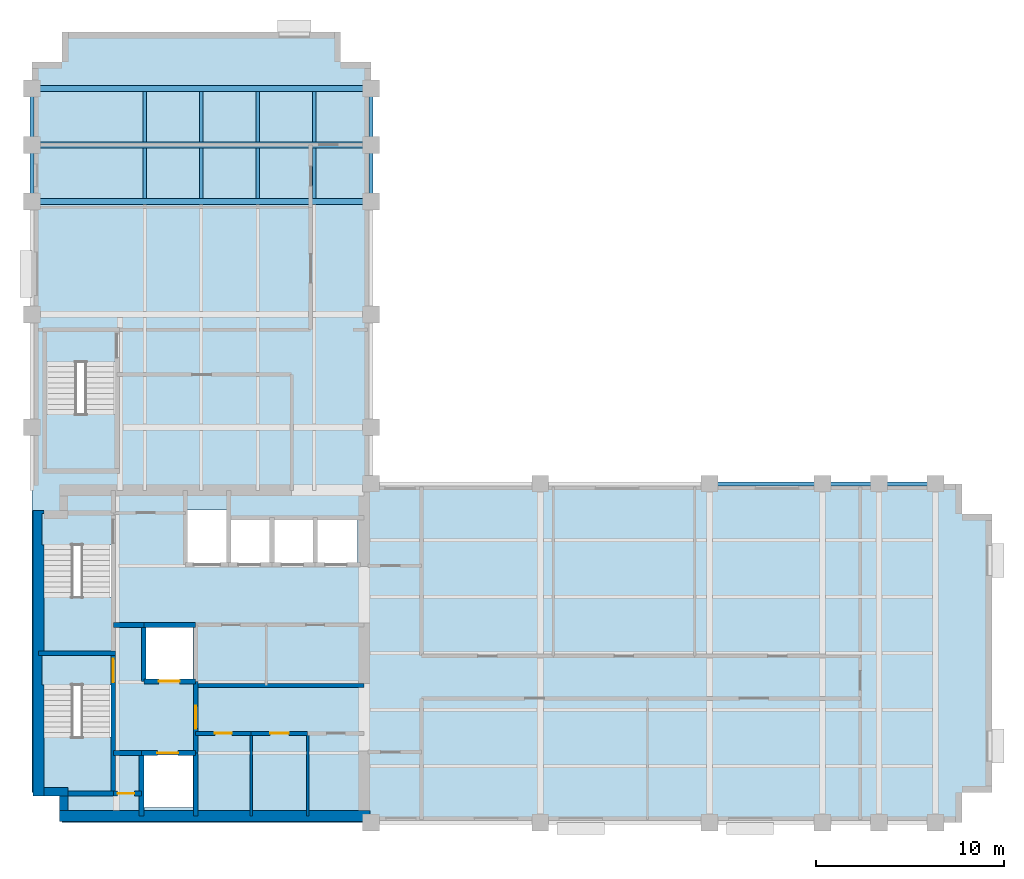
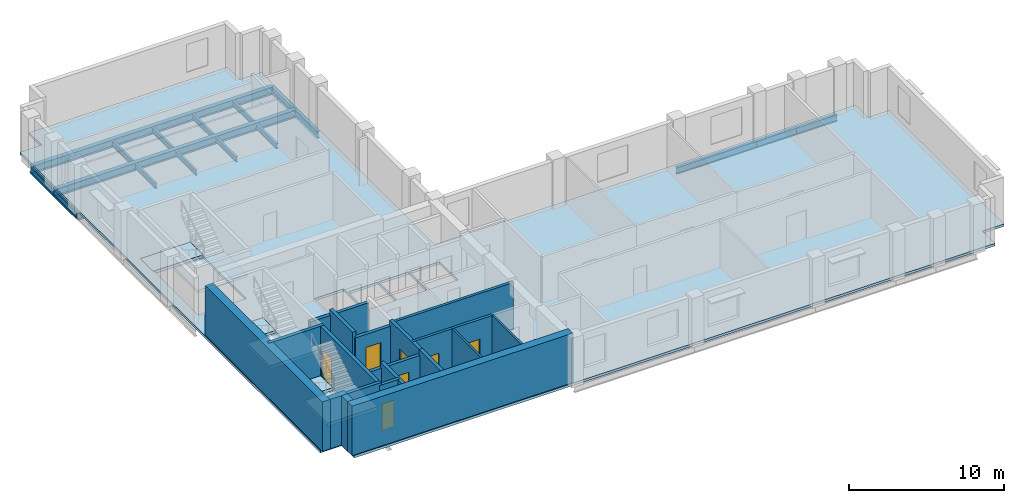
# One storey, part 2 of 7: 22 walls, 18 beams, 7 doors, 7 slabs, 7 openings, 3 elements without a shape of their own.
"""IFC4 building model written with IfcOpenShell, lengths in metres."""

from ifc_helpers import new_model, si_unit, direction, frame, frame_2d, origin, origin_2d, place, context, subcontext, project, spatial, polyline, rectangle, i_section, outline, extrude, material, layer, layer_set, material_profile, profile_set, type_object, element, fill, aggregate, save


model = new_model("IFC4")

# Units and contexts
model_context = context("Model", 3, precision=1e-05, world=origin(), true_north=direction((0.0, 1.0)))
body_context = subcontext(model_context, "Body", "Model", "MODEL_VIEW")
ifc_project = project(units=[si_unit("LENGTHUNIT", "METRE"), si_unit("AREAUNIT", "SQUARE_METRE"), si_unit("VOLUMEUNIT", "CUBIC_METRE"), si_unit("PLANEANGLEUNIT", "RADIAN"), si_unit("MASSUNIT", "GRAM", prefix="KILO")], contexts=[model_context])

# Site, building, storey
site_placement = place(None, origin())
site = spatial("IfcSite", under=ifc_project, at=site_placement, CompositionType="ELEMENT")
building_placement = place(site_placement, origin())
building = spatial("IfcBuilding", under=site, at=building_placement, Name="Mawjdan Bourse Tower", CompositionType="ELEMENT")
storey_placement = place(building_placement, frame((0.0, 0.0, 168.300048828125)))
storey = spatial("IfcBuildingStorey", under=building, at=storey_placement, Name="L40", CompositionType="ELEMENT", Elevation=168.300048828125)

# Beams
ifc_material_1 = material(Name="Structural Steel S355", Category="steel")
ifc_material_profile_1 = material_profile(ifc_material_1, i_section(OverallWidth=0.324951171875, OverallDepth=0.616943359375, WebThickness=0.013916015625, FlangeThickness=0.021484375, FilletRadius=0.017333984375, at=origin_2d()), Name="W24X117")
ifc_profile_set_1 = profile_set([ifc_material_profile_1], Name="Structural Steel S355")
beam_type_1 = type_object("IfcBeamType", Name="GRD-W24X117", PredefinedType="BEAM", material=ifc_profile_set_1)
for number, where, z_axis, x_axis, name in (
    (1, (6.0, 36.0, -0.508544921875), (1.0, 0.0, 0.0), (0.0, 1.0, 0.0), "L40 North Wing Clear-Span Girder 049"),
    (2, (6.0, 39.0, -0.508544921875), (1.0, 0.0, 0.0), (0.0, 1.0, 0.0), "L40 North Wing Clear-Span Girder 050"),
    (3, (6.0, 42.0, -0.508544921875), (1.0, 0.0, 0.0), (0.0, 1.0, 0.0), "L40 North Wing Clear-Span Girder 051"),
):
    element("IfcBeam", number, at=place(storey_placement, frame(where, z_axis=z_axis, x_axis=x_axis)), inside=storey, type_object=beam_type_1, Name=name, PredefinedType="BEAM", context=body_context, shape_type="SweptSolid", body=[
        extrude(i_section(OverallWidth=0.324951171875, OverallDepth=0.616943359375, WebThickness=0.013916015625, FlangeThickness=0.021484375, FilletRadius=0.017333984375, at=origin_2d()), origin(), (0.0, 0.0, 1.0), 18.0),
    ])
ifc_material_profile_2 = material_profile(ifc_material_1, i_section(OverallWidth=0.177978515625, OverallDepth=0.406982421875, WebThickness=0.0078125, FlangeThickness=0.0126953125, FilletRadius=0.01025390625, at=origin_2d()), Name="W16X40")
ifc_profile_set_2 = profile_set([ifc_material_profile_2], Name="Structural Steel S355")
beam_type_2 = type_object("IfcBeamType", Name="JST-W16X40", PredefinedType="JOIST", material=ifc_profile_set_2)
for number, where, z_axis, x_axis, name in (
    (4, (12.0, 36.160400390625, -0.403564453125), (0.0, 1.0, 0.0), (-1.0, 0.0, 0.0), "L40 North Wing Composite Joist 065"),
    (5, (12.0, 39.160400390625, -0.403564453125), (0.0, 1.0, 0.0), (-1.0, 0.0, 0.0), "L40 North Wing Composite Joist 066"),
    (6, (15.0, 36.160400390625, -0.403564453125), (0.0, 1.0, 0.0), (-1.0, 0.0, 0.0), "L40 North Wing Composite Joist 070"),
    (7, (15.0, 39.160400390625, -0.403564453125), (0.0, 1.0, 0.0), (-1.0, 0.0, 0.0), "L40 North Wing Composite Joist 071"),
    (8, (18.0, 36.160400390625, -0.403564453125), (0.0, 1.0, 0.0), (-1.0, 0.0, 0.0), "L40 North Wing Composite Joist 075"),
    (9, (18.0, 39.160400390625, -0.403564453125), (0.0, 1.0, 0.0), (-1.0, 0.0, 0.0), "L40 North Wing Composite Joist 076"),
    (10, (21.0, 36.160400390625, -0.403564453125), (0.0, 1.0, 0.0), (-1.0, 0.0, 0.0), "L40 North Wing Composite Joist 080"),
    (11, (21.0, 39.160400390625, -0.403564453125), (0.0, 1.0, 0.0), (-1.0, 0.0, 0.0), "L40 North Wing Composite Joist 081"),
):
    element("IfcBeam", number, at=place(storey_placement, frame(where, z_axis=z_axis, x_axis=x_axis)), inside=storey, type_object=beam_type_2, Name=name, PredefinedType="JOIST", context=body_context, shape_type="SweptSolid", body=[
        extrude(i_section(OverallWidth=0.177978515625, OverallDepth=0.406982421875, WebThickness=0.0078125, FlangeThickness=0.0126953125, FilletRadius=0.01025390625, at=origin_2d()), origin(), (0.0, 0.0, 1.0), 2.67919921875),
    ])
ifc_material_profile_3 = material_profile(ifc_material_1, i_section(OverallWidth=0.2119140625, OverallDepth=0.5439453125, WebThickness=0.01318359375, FlangeThickness=0.021240234375, FilletRadius=0.01708984375, at=origin_2d()), Name="W21X83")
ifc_profile_set_3 = profile_set([ifc_material_profile_3], Name="Structural Steel S355")
beam_type_3 = type_object("IfcBeamType", Name="SPN-W21X83", PredefinedType="SPANDREL", material=ifc_profile_set_3)
beam_placement = place(storey_placement, frame((42.0, 21.0, -0.47216796875), z_axis=(1.0, 0.0, 0.0), x_axis=(0.0, 1.0, 0.0)))
element("IfcBeam", 12, at=beam_placement, inside=storey, type_object=beam_type_3, Name="L40 Perimeter Masonry-Shelf Spandrel 014", PredefinedType="SPANDREL", context=body_context, shape_type="SweptSolid", body=[
    extrude(i_section(OverallWidth=0.2119140625, OverallDepth=0.5439453125, WebThickness=0.01318359375, FlangeThickness=0.021240234375, FilletRadius=0.01708984375, at=origin_2d()), origin(), (0.0, 0.0, 1.0), 6.0),
])
for number, where, z_axis, x_axis, name in (
    (13, (48.0, 21.0, -0.47216796875), (1.0, 0.0, 0.0), (0.0, 1.0, 0.0), "L40 Perimeter Masonry-Shelf Spandrel 015"),
    (14, (51.0, 21.0, -0.47216796875), (1.0, 0.0, 0.0), (0.0, 1.0, 0.0), "L40 Perimeter Masonry-Shelf Spandrel 016"),
    (15, (6.0, 36.0, -0.47216796875), (0.0, 1.0, 0.0), (-1.0, 0.0, 0.0), "L40 North Wing Spandrel 055"),
    (16, (6.0, 39.0, -0.47216796875), (0.0, 1.0, 0.0), (-1.0, 0.0, 0.0), "L40 North Wing Spandrel 056"),
    (17, (24.0, 36.0, -0.47216796875), (0.0, 1.0, 0.0), (-1.0, 0.0, 0.0), "L40 North Wing Spandrel 060"),
    (18, (24.0, 39.0, -0.47216796875), (0.0, 1.0, 0.0), (-1.0, 0.0, 0.0), "L40 North Wing Spandrel 061"),
):
    element("IfcBeam", number, at=place(storey_placement, frame(where, z_axis=z_axis, x_axis=x_axis)), inside=storey, type_object=beam_type_3, Name=name, PredefinedType="SPANDREL", context=body_context, shape_type="SweptSolid", body=[
        extrude(i_section(OverallWidth=0.2119140625, OverallDepth=0.5439453125, WebThickness=0.01318359375, FlangeThickness=0.021240234375, FilletRadius=0.01708984375, at=origin_2d()), origin(), (0.0, 0.0, 1.0), 3.0),
    ])

# Stair, slabs
ifc_material_2 = material(Name="Concrete C50/60", Category="concrete")
stair_type = type_object("IfcStairType", Name="STR-CORE-1500", PredefinedType="HALF_TURN_STAIR", material=ifc_material_2)
stair_1_placement = place(storey_placement, origin())
stair_1 = element("IfcStair", 19, at=stair_1_placement, inside=storey, type_object=stair_type, Name="L40 Exit Stair 1 (Core South-West)", PredefinedType="HALF_TURN_STAIR")
ifc_layer_1 = layer(ifc_material_2, 0.22998046875)
ifc_layer_set_1 = layer_set([ifc_layer_1], Name="Concrete C50/60")
slab_type_1 = type_object("IfcSlabType", Name="SL-LND-230", PredefinedType="LANDING", material=ifc_layer_set_1)
slab_1_placement = place(storey_placement, frame((0.0, 0.0, -0.22998046875)))
slab_1 = element("IfcSlab", 20, at=slab_1_placement, type_object=slab_type_1, Name="ST1-L40 landing 1", PredefinedType="LANDING", context=body_context, shape_type="SweptSolid", body=[
    extrude(outline(polyline([(6.5400390625, 10.31005859375), (10.260009765625, 10.31005859375), (10.260009765625, 11.969970703125), (6.5400390625, 11.969970703125), (6.5400390625, 10.31005859375)])), origin(), (0.0, 0.0, 1.0), 0.22998046875),
])
slab_2_placement = place(storey_placement, frame((0.0, 0.0, 1.719970703125)))
slab_2 = element("IfcSlab", 21, at=slab_2_placement, type_object=slab_type_1, Name="ST1-L40 landing 2", PredefinedType="LANDING", context=body_context, shape_type="SweptSolid", body=[
    extrude(outline(polyline([(6.5400390625, 4.590087890625), (10.260009765625, 4.590087890625), (10.260009765625, 7.5400390625), (6.5400390625, 7.5400390625), (6.5400390625, 4.590087890625)])), origin(), (0.0, 0.0, 1.0), 0.22998046875),
])
aggregate(stair_1, [slab_1, slab_2])

stair_2_placement = place(storey_placement, origin())
stair_2 = element("IfcStair", 22, at=stair_2_placement, inside=storey, type_object=stair_type, Name="L40 Exit Stair 2 (Core North-West)", PredefinedType="HALF_TURN_STAIR")
slab_3_placement = place(storey_placement, frame((0.0, 0.0, -0.22998046875)))
slab_3 = element("IfcSlab", 23, at=slab_3_placement, type_object=slab_type_1, Name="ST2-L40 landing 1", PredefinedType="LANDING", context=body_context, shape_type="SweptSolid", body=[
    extrude(outline(polyline([(6.5400390625, 17.75), (10.260009765625, 17.75), (10.260009765625, 19.409912109375), (6.5400390625, 19.409912109375), (6.5400390625, 17.75)])), origin(), (0.0, 0.0, 1.0), 0.22998046875),
])
slab_4_placement = place(storey_placement, frame((0.0, 0.0, 1.719970703125)))
slab_4 = element("IfcSlab", 24, at=slab_4_placement, type_object=slab_type_1, Name="ST2-L40 landing 2", PredefinedType="LANDING", context=body_context, shape_type="SweptSolid", body=[
    extrude(outline(polyline([(6.5400390625, 12.030029296875), (10.260009765625, 12.030029296875), (10.260009765625, 14.97998046875), (6.5400390625, 14.97998046875), (6.5400390625, 12.030029296875)])), origin(), (0.0, 0.0, 1.0), 0.22998046875),
])
aggregate(stair_2, [slab_3, slab_4])

stair_3_placement = place(storey_placement, origin())
stair_3 = element("IfcStair", 25, at=stair_3_placement, inside=storey, type_object=stair_type, Name="L40 Exit Stair 3 (North Wing)", PredefinedType="HALF_TURN_STAIR")
slab_5_placement = place(storey_placement, frame((0.0, 0.0, -0.22998046875)))
slab_5 = element("IfcSlab", 26, at=slab_5_placement, type_object=slab_type_1, Name="ST3-L40 landing 1", PredefinedType="LANDING", context=body_context, shape_type="SweptSolid", body=[
    extrude(outline(polyline([(6.739990234375, 27.4599609375), (10.4599609375, 27.4599609375), (10.4599609375, 29.1201171875), (6.739990234375, 29.1201171875), (6.739990234375, 27.4599609375)])), origin(), (0.0, 0.0, 1.0), 0.22998046875),
])
slab_6_placement = place(storey_placement, frame((0.0, 0.0, 1.719970703125)))
slab_6 = element("IfcSlab", 27, at=slab_6_placement, type_object=slab_type_1, Name="ST3-L40 landing 2", PredefinedType="LANDING", context=body_context, shape_type="SweptSolid", body=[
    extrude(outline(polyline([(6.739990234375, 21.739990234375), (10.4599609375, 21.739990234375), (10.4599609375, 24.68994140625), (6.739990234375, 24.68994140625), (6.739990234375, 21.739990234375)])), origin(), (0.0, 0.0, 1.0), 0.22998046875),
])
aggregate(stair_3, [slab_5, slab_6])

# Slab
ifc_layer_2 = layer(ifc_material_2, 0.199951171875)
ifc_layer_set_2 = layer_set([ifc_layer_2], Name="Concrete C50/60")
slab_type_2 = type_object("IfcSlabType", Name="SL-OFC-200", PredefinedType="FLOOR", material=ifc_layer_set_2)
slab_7_placement = place(storey_placement, frame((0.0, 0.0, -0.199951171875)))
element("IfcSlab", 28, at=slab_7_placement, inside=storey, type_object=slab_type_2, Name="L40 Structural Floor Slab 1", PredefinedType="FLOOR", context=body_context, shape_type="SweptSolid", body=[
    extrude(outline(polyline([(7.60009765625, 3.0), (55.39990234375, 3.0), (55.39990234375, 4.60009765625), (57.0, 4.60009765625), (57.0, 19.39990234375), (55.39990234375, 19.39990234375), (55.39990234375, 21.0), (24.0, 21.0), (24.0, 43.39990234375), (22.39990234375, 43.39990234375), (22.39990234375, 45.0), (7.60009765625, 45.0), (7.60009765625, 43.39990234375), (6.0, 43.39990234375), (6.0, 4.60009765625), (7.60009765625, 4.60009765625), (7.60009765625, 3.0)]), holes=[polyline([(6.5400390625, 11.969970703125), (10.260009765625, 11.969970703125), (10.260009765625, 10.31005859375), (10.199951171875, 10.31005859375), (10.199951171875, 4.64990234375), (6.60009765625, 4.64990234375), (6.60009765625, 10.31005859375), (6.5400390625, 10.31005859375), (6.5400390625, 11.969970703125)]), polyline([(6.60009765625, 12.090087890625), (6.60009765625, 17.75), (6.5400390625, 17.75), (6.5400390625, 19.409912109375), (10.260009765625, 19.409912109375), (10.260009765625, 17.75), (10.199951171875, 17.75), (10.199951171875, 12.090087890625), (6.60009765625, 12.090087890625)]), polyline([(10.4599609375, 29.1201171875), (10.4599609375, 27.4599609375), (10.39990234375, 27.4599609375), (10.39990234375, 21.800048828125), (6.800048828125, 21.800048828125), (6.800048828125, 27.4599609375), (6.739990234375, 27.4599609375), (6.739990234375, 29.1201171875), (10.4599609375, 29.1201171875)]), polyline([(14.550048828125, 3.800048828125), (11.949951171875, 3.800048828125), (11.949951171875, 6.60009765625), (14.550048828125, 6.60009765625), (14.550048828125, 3.800048828125)]), polyline([(12.050048828125, 10.60009765625), (12.050048828125, 13.39990234375), (14.550048828125, 13.39990234375), (14.550048828125, 10.60009765625), (12.050048828125, 10.60009765625)]), polyline([(16.5, 16.800048828125), (16.5, 19.14990234375), (18.699951171875, 19.14990234375), (18.699951171875, 16.800048828125), (16.5, 16.800048828125)]), polyline([(21.0, 16.800048828125), (18.800048828125, 16.800048828125), (18.800048828125, 19.14990234375), (21.0, 19.14990234375), (21.0, 16.800048828125)]), polyline([(21.10009765625, 16.800048828125), (21.10009765625, 19.14990234375), (23.300048828125, 19.14990234375), (23.300048828125, 16.800048828125), (21.10009765625, 16.800048828125)]), polyline([(14.199951171875, 16.800048828125), (14.199951171875, 19.60009765625), (16.39990234375, 19.60009765625), (16.39990234375, 16.800048828125), (14.199951171875, 16.800048828125)])]), origin(), (0.0, 0.0, 1.0), 0.199951171875),
])

# Wall, opening, door
ifc_material_3 = material(Name="Gypsum Fireboard Assembly")
ifc_layer_3 = layer(ifc_material_3, 0.199951171875)
ifc_layer_set_3 = layer_set([ifc_layer_3], Name="Gypsum Fireboard Assembly")
wall_type_1 = type_object("IfcWallType", Name="WL-CMP-200", PredefinedType="PARTITIONING", material=ifc_layer_set_3)
wall_1_placement = place(storey_placement, frame((14.699951171875, 7.739990234375, 0.0), z_axis=(0.0, 0.0, 1.0), x_axis=(1.0, 0.0, 0.0)))
wall_1 = element("IfcWall", 29, at=wall_1_placement, inside=storey, type_object=wall_type_1, Name="L40 IT & Telemetry Room North Wall", PredefinedType="PARTITIONING", context=body_context, shape_type="SweptSolid", body=[
    extrude(rectangle(XDim=2.949951171875, YDim=0.199951171875, at=frame_2d((1.47509765625, 0.0))), origin(), (0.0, 0.0, 1.0), 3.68994140625),
])
opening_1_placement = place(wall_1_placement, frame((1.02490234375, 0.0, 0.0)))
opening_1 = element("IfcOpeningElement", 30, at=opening_1_placement, cuts=wall_1, Name="Opening D-L40-13", PredefinedType="OPENING", context=body_context, shape_type="SweptSolid", body=[
    extrude(rectangle(XDim=0.89990234375, YDim=2.10009765625, at=frame_2d((0.449951171875, 1.050048828125))), frame((0.0, 0.10986328125, 0.0), z_axis=(0.0, -1.0, 0.0), x_axis=(1.0, 0.0, 0.0)), (0.0, 0.0, 1.0), 0.219970703125),
])
ifc_material_4 = material(Name="Fire-Rated Steel Access Leaf", Category="steel")
door_type_1 = type_object("IfcDoorType", Name="FD-RSR-0900", OperationType="NOTDEFINED", PredefinedType="TRAPDOOR", material=ifc_material_4)
door_1_placement = place(opening_1_placement, origin())
door_1 = element("IfcDoor", 31, at=door_1_placement, inside=storey, type_object=door_type_1, Name="L40 IT & Telemetry Room Door D-L40-13", OperationType="SINGLE_SWING_LEFT", OverallHeight=2.10009765625, OverallWidth=0.89990234375, PredefinedType="TRAPDOOR", context=body_context, shape_type="SweptSolid", body=[
    extrude(rectangle(XDim=0.89990234375, YDim=2.10009765625, at=frame_2d((0.449951171875, 1.050048828125))), frame((0.0, 0.02490234375, 0.0), z_axis=(0.0, -1.0, 0.0), x_axis=(1.0, 0.0, 0.0)), (0.0, 0.0, 1.0), 0.050048828125),
])
fill(opening_1, door_1)

wall_2_placement = place(storey_placement, frame((17.64990234375, 7.739990234375, 0.0), z_axis=(0.0, 0.0, 1.0), x_axis=(1.0, 0.0, 0.0)))
wall_2 = element("IfcWall", 32, at=wall_2_placement, inside=storey, type_object=wall_type_1, Name="L40 Mail & Courier Office North Wall", PredefinedType="PARTITIONING", context=body_context, shape_type="SweptSolid", body=[
    extrude(rectangle(XDim=3.0, YDim=0.199951171875, at=frame_2d((1.5, 0.0))), origin(), (0.0, 0.0, 1.0), 3.68994140625),
])
opening_2_placement = place(wall_2_placement, frame((1.0, 0.0, 0.0)))
opening_2 = element("IfcOpeningElement", 33, at=opening_2_placement, cuts=wall_2, Name="Opening D-L40-14", PredefinedType="OPENING", context=body_context, shape_type="SweptSolid", body=[
    extrude(rectangle(XDim=1.0, YDim=2.14990234375, at=frame_2d((0.5, 1.074951171875))), frame((0.0, 0.10986328125, 0.0), z_axis=(0.0, -1.0, 0.0), x_axis=(1.0, 0.0, 0.0)), (0.0, 0.0, 1.0), 0.219970703125),
])
ifc_material_5 = material(Name="Hardwood Acoustic Leaf", Category="wood")
door_type_2 = type_object("IfcDoorType", Name="DR-OFC-1000", OperationType="NOTDEFINED", PredefinedType="DOOR", material=ifc_material_5)
door_2_placement = place(opening_2_placement, origin())
door_2 = element("IfcDoor", 34, at=door_2_placement, inside=storey, type_object=door_type_2, Name="L40 Mail & Courier Office Door D-L40-14", OperationType="SINGLE_SWING_RIGHT", OverallHeight=2.14990234375, OverallWidth=1.0, PredefinedType="DOOR", context=body_context, shape_type="SweptSolid", body=[
    extrude(rectangle(XDim=1.0, YDim=2.14990234375, at=frame_2d((0.5, 1.074951171875))), frame((0.0, 0.02490234375, 0.0), z_axis=(0.0, -1.0, 0.0), x_axis=(1.0, 0.0, 0.0)), (0.0, 0.0, 1.0), 0.050048828125),
])
fill(opening_2, door_2)

# Walls
wall_3_placement = place(storey_placement, frame((14.824951171875, 10.280029296875, 0.0), z_axis=(0.0, 0.0, 1.0), x_axis=(1.0, 0.0, 0.0)))
element("IfcWall", 35, at=wall_3_placement, inside=storey, type_object=wall_type_1, Name="L40 Core Restroom Suite South Wall", PredefinedType="PARTITIONING", context=body_context, shape_type="SweptSolid", body=[
    extrude(rectangle(XDim=8.824951171875, YDim=0.199951171875, at=frame_2d((4.41259765625, 0.0))), origin(), (0.0, 0.0, 1.0), 3.68994140625),
])
ifc_material_6 = material(Name="Concrete C60/75", Category="concrete")
ifc_layer_4 = layer(ifc_material_6, 0.449951171875)
ifc_layer_set_4 = layer_set([ifc_layer_4], Name="Concrete C60/75")
wall_type_2 = type_object("IfcWallType", Name="WL-CORE-450", PredefinedType="SHEAR", material=ifc_layer_set_4)
wall_4_placement = place(storey_placement, frame((6.64990234375, 4.64990234375, 0.0), z_axis=(0.0, 0.0, 1.0), x_axis=(1.0, 0.0, 0.0)))
element("IfcWall", 36, at=wall_4_placement, inside=storey, type_object=wall_type_2, Name="L40 Rear Core Shear Wall SW-X", PredefinedType="SHEAR", context=body_context, shape_type="SweptSolid", body=[
    extrude(rectangle(XDim=1.275146484375, YDim=0.449951171875, at=frame_2d((0.6376953125, 0.0))), origin(), (0.0, 0.0, 1.0), 3.89990234375),
])
wall_5_placement = place(storey_placement, frame((7.699951171875, 3.64990234375, 0.0), z_axis=(0.0, 0.0, 1.0), x_axis=(0.0, 1.0, 0.0)))
element("IfcWall", 37, at=wall_5_placement, inside=storey, type_object=wall_type_2, Name="L40 Rear Core Shear Wall SW-Y", PredefinedType="SHEAR", context=body_context, shape_type="SweptSolid", body=[
    extrude(rectangle(XDim=0.775146484375, YDim=0.449951171875, at=frame_2d((0.3876953125, 0.0))), origin(), (0.0, 0.0, 1.0), 3.89990234375),
])
ifc_material_7 = material(Name="Concrete C70/85", Category="concrete")
ifc_layer_5 = layer(ifc_material_7, 0.60009765625)
ifc_layer_set_5 = layer_set([ifc_layer_5], Name="Concrete C70/85")
wall_type_3 = type_object("IfcWallType", Name="WL-CORE-600", PredefinedType="SHEAR", material=ifc_layer_set_5)
wall_6_placement = place(storey_placement, frame((7.47509765625, 3.35009765625, 0.0), z_axis=(0.0, 0.0, 1.0), x_axis=(1.0, 0.0, 0.0)))
element("IfcWall", 38, at=wall_6_placement, inside=storey, type_object=wall_type_3, Name="L40 Rear Core Shear Wall S", PredefinedType="SHEAR", context=body_context, shape_type="SweptSolid", body=[
    extrude(rectangle(XDim=16.474853515625, YDim=0.60009765625, at=frame_2d((8.2373046875, 0.0))), origin(), (0.0, 0.0, 1.0), 3.89990234375),
])
wall_7_placement = place(storey_placement, frame((6.35009765625, 4.425048828125, 0.0), z_axis=(0.0, 0.0, 1.0), x_axis=(0.0, 1.0, 0.0)))
element("IfcWall", 39, at=wall_7_placement, inside=storey, type_object=wall_type_3, Name="L40 Rear Core Shear Wall W", PredefinedType="SHEAR", context=body_context, shape_type="SweptSolid", body=[
    extrude(rectangle(XDim=15.14990234375, YDim=0.60009765625, at=frame_2d((7.574951171875, 0.0))), origin(), (0.0, 0.0, 1.0), 3.89990234375),
])
ifc_material_8 = material(Name="Gypsum Acoustic Partition")
ifc_layer_6 = layer(ifc_material_8, 0.14990234375)
ifc_layer_set_6 = layer_set([ifc_layer_6], Name="Gypsum Acoustic Partition")
wall_type_4 = type_object("IfcWallType", Name="WL-PRT-150", PredefinedType="PARTITIONING", material=ifc_layer_set_6)
for number, where, z_axis, x_axis, name in (
    (40, (17.64990234375, 3.35009765625, 0.0), (0.0, 0.0, 1.0), (0.0, 1.0, 0.0), "L40 Mail & Courier Office Core Split Wall"),
    (41, (20.64990234375, 3.35009765625, 0.0), (0.0, 0.0, 1.0), (0.0, 1.0, 0.0), "L40 Staff Refreshment Pantry Core Split Wall"),
):
    element("IfcWall", number, at=place(storey_placement, frame(where, z_axis=z_axis, x_axis=x_axis)), inside=storey, type_object=wall_type_4, Name=name, PredefinedType="PARTITIONING", context=body_context, shape_type="SweptSolid", body=[
        extrude(rectangle(XDim=4.389892578125, YDim=0.14990234375, at=frame_2d((2.19482421875, 0.0))), origin(), (0.0, 0.0, 1.0), 3.68994140625),
    ])

# Wall, opening, door
ifc_layer_7 = layer(ifc_material_2, 0.25)
ifc_layer_set_7 = layer_set([ifc_layer_7], Name="Concrete C50/60")
wall_type_5 = type_object("IfcWallType", Name="WL-SHFT-250", PredefinedType="PARTITIONING", material=ifc_layer_set_7)
wall_8_placement = place(storey_placement, frame((10.330078125, 4.550048828125, 0.0), z_axis=(0.0, 0.0, 1.0), x_axis=(1.0, 0.0, 0.0)))
wall_8 = element("IfcWall", 42, at=wall_8_placement, inside=storey, type_object=wall_type_5, Name="L40 SW Riser North Wall", PredefinedType="PARTITIONING", context=body_context, shape_type="SweptSolid", body=[
    extrude(rectangle(XDim=1.489990234375, YDim=0.25, at=frame_2d((0.7451171875, 0.0))), origin(), (0.0, 0.0, 1.0), 3.68994140625),
])
opening_3_placement = place(wall_8_placement, frame((0.219970703125, 0.0, 0.0)))
opening_3 = element("IfcOpeningElement", 43, at=opening_3_placement, cuts=wall_8, Name="Opening RD-L40-03", PredefinedType="OPENING", context=body_context, shape_type="SweptSolid", body=[
    extrude(rectangle(XDim=0.89990234375, YDim=2.10009765625, at=frame_2d((0.449951171875, 1.050048828125))), frame((0.0, 0.135009765625, 0.0), z_axis=(0.0, -1.0, 0.0), x_axis=(1.0, 0.0, 0.0)), (0.0, 0.0, 1.0), 0.27001953125),
])
door_3_placement = place(opening_3_placement, origin())
door_3 = element("IfcDoor", 44, at=door_3_placement, inside=storey, type_object=door_type_1, Name="L40 Electrical Riser Access Door RD-L40-03", OperationType="SINGLE_SWING_LEFT", OverallHeight=2.10009765625, OverallWidth=0.89990234375, PredefinedType="TRAPDOOR", context=body_context, shape_type="SweptSolid", body=[
    extrude(rectangle(XDim=0.89990234375, YDim=2.10009765625, at=frame_2d((0.449951171875, 1.050048828125))), frame((0.0, 0.02490234375, 0.0), z_axis=(0.0, -1.0, 0.0), x_axis=(1.0, 0.0, 0.0)), (0.0, 0.0, 1.0), 0.050048828125),
])
fill(opening_3, door_3)

# Wall
wall_9_placement = place(storey_placement, frame((11.820068359375, 3.35009765625, 0.0), z_axis=(0.0, 0.0, 1.0), x_axis=(0.0, 1.0, 0.0)))
element("IfcWall", 45, at=wall_9_placement, inside=storey, type_object=wall_type_5, Name="L40 SW Riser & FFL01 West Wall", PredefinedType="PARTITIONING", context=body_context, shape_type="SweptSolid", body=[
    extrude(rectangle(XDim=3.349853515625, YDim=0.25, at=frame_2d((1.6748046875, 0.0))), origin(), (0.0, 0.0, 1.0), 3.68994140625),
])

# Wall, opening, door
wall_10_placement = place(storey_placement, frame((11.820068359375, 6.699951171875, 0.0), z_axis=(0.0, 0.0, 1.0), x_axis=(1.0, 0.0, 0.0)))
wall_10 = element("IfcWall", 46, at=wall_10_placement, inside=storey, type_object=wall_type_5, Name="L40 FFL-01 Front Shaft Wall", PredefinedType="PARTITIONING", context=body_context, shape_type="SweptSolid", body=[
    extrude(rectangle(XDim=2.8798828125, YDim=0.25, at=frame_2d((1.43994140625, 0.0))), origin(), (0.0, 0.0, 1.0), 3.282958984375),
])
opening_4_placement = place(wall_10_placement, frame((0.85009765625, 0.0, 0.0)))
opening_4 = element("IfcOpeningElement", 47, at=opening_4_placement, cuts=wall_10, Name="Opening LD-L40-05", PredefinedType="OPENING", context=body_context, shape_type="SweptSolid", body=[
    extrude(rectangle(XDim=1.10009765625, YDim=2.25, at=frame_2d((0.550048828125, 1.125))), frame((0.0, 0.135009765625, 0.0), z_axis=(0.0, -1.0, 0.0), x_axis=(1.0, 0.0, 0.0)), (0.0, 0.0, 1.0), 0.27001953125),
])
ifc_material_9 = material(Name="Brushed Stainless Steel", Category="steel")
door_type_3 = type_object("IfcDoorType", Name="LD-FFL-1100", OperationType="DOUBLE_DOOR_SLIDING", PredefinedType="DOOR", material=ifc_material_9)
door_4_placement = place(opening_4_placement, origin())
door_4 = element("IfcDoor", 48, at=door_4_placement, inside=storey, type_object=door_type_3, Name="L40 Firefighting Lift FFL-01 Landing Door LD-L40-05", OperationType="DOUBLE_DOOR_SLIDING", OverallHeight=2.25, OverallWidth=1.10009765625, PredefinedType="DOOR", context=body_context, shape_type="SweptSolid", body=[
    extrude(rectangle(XDim=1.10009765625, YDim=2.25, at=frame_2d((0.550048828125, 1.125))), frame((0.0, 0.02490234375, 0.0), z_axis=(0.0, -1.0, 0.0), x_axis=(1.0, 0.0, 0.0)), (0.0, 0.0, 1.0), 0.050048828125),
])
fill(opening_4, door_4)

# Wall
wall_11_placement = place(storey_placement, frame((14.699951171875, 3.35009765625, 0.0), z_axis=(0.0, 0.0, 1.0), x_axis=(0.0, 1.0, 0.0)))
element("IfcWall", 49, at=wall_11_placement, inside=storey, type_object=wall_type_5, Name="L40 FFL-01 East Shaft Wall", PredefinedType="PARTITIONING", context=body_context, shape_type="SweptSolid", body=[
    extrude(rectangle(XDim=3.349853515625, YDim=0.25, at=frame_2d((1.6748046875, 0.0))), origin(), (0.0, 0.0, 1.0), 3.68994140625),
])

# Wall, opening, door
wall_12_placement = place(storey_placement, frame((11.949951171875, 10.5, 0.0), z_axis=(0.0, 0.0, 1.0), x_axis=(1.0, 0.0, 0.0)))
wall_12 = element("IfcWall", 50, at=wall_12_placement, inside=storey, type_object=wall_type_5, Name="L40 FFL-02 Front Shaft Wall", PredefinedType="PARTITIONING", context=body_context, shape_type="SweptSolid", body=[
    extrude(rectangle(XDim=2.75, YDim=0.25, at=frame_2d((1.375, 0.0))), origin(), (0.0, 0.0, 1.0), 3.282958984375),
])
opening_5_placement = place(wall_12_placement, frame((0.800048828125, 0.0, 0.0)))
opening_5 = element("IfcOpeningElement", 51, at=opening_5_placement, cuts=wall_12, Name="Opening LD-L40-06", PredefinedType="OPENING", context=body_context, shape_type="SweptSolid", body=[
    extrude(rectangle(XDim=1.10009765625, YDim=2.25, at=frame_2d((0.550048828125, 1.125))), frame((0.0, 0.135009765625, 0.0), z_axis=(0.0, -1.0, 0.0), x_axis=(1.0, 0.0, 0.0)), (0.0, 0.0, 1.0), 0.27001953125),
])
door_5_placement = place(opening_5_placement, origin())
door_5 = element("IfcDoor", 52, at=door_5_placement, inside=storey, type_object=door_type_3, Name="L40 Firefighting Lift FFL-02 Landing Door LD-L40-06", OperationType="DOUBLE_DOOR_SLIDING", OverallHeight=2.25, OverallWidth=1.10009765625, PredefinedType="DOOR", context=body_context, shape_type="SweptSolid", body=[
    extrude(rectangle(XDim=1.10009765625, YDim=2.25, at=frame_2d((0.550048828125, 1.125))), frame((0.0, 0.02490234375, 0.0), z_axis=(0.0, -1.0, 0.0), x_axis=(1.0, 0.0, 0.0)), (0.0, 0.0, 1.0), 0.050048828125),
])
fill(opening_5, door_5)

# Walls
wall_13_placement = place(storey_placement, frame((11.949951171875, 10.5, 0.0), z_axis=(0.0, 0.0, 1.0), x_axis=(0.0, 1.0, 0.0)))
element("IfcWall", 53, at=wall_13_placement, inside=storey, type_object=wall_type_5, Name="L40 FFL-02 West Shaft Wall", PredefinedType="PARTITIONING", context=body_context, shape_type="SweptSolid", body=[
    extrude(rectangle(XDim=3.0, YDim=0.25, at=frame_2d((1.5, 0.0))), origin(), (0.0, 0.0, 1.0), 3.68994140625),
])
wall_14_placement = place(storey_placement, frame((11.949951171875, 13.5, 0.0), z_axis=(0.0, 0.0, 1.0), x_axis=(1.0, 0.0, 0.0)))
element("IfcWall", 54, at=wall_14_placement, inside=storey, type_object=wall_type_5, Name="L40 FFL-02 North Shaft Wall", PredefinedType="PARTITIONING", context=body_context, shape_type="SweptSolid", body=[
    extrude(rectangle(XDim=2.75, YDim=0.25, at=frame_2d((1.375, 0.0))), origin(), (0.0, 0.0, 1.0), 3.282958984375),
])

# Wall, opening, door
wall_15_placement = place(storey_placement, frame((14.699951171875, 6.699951171875, 0.0), z_axis=(0.0, 0.0, 1.0), x_axis=(0.0, 1.0, 0.0)))
wall_15 = element("IfcWall", 55, at=wall_15_placement, inside=storey, type_object=wall_type_5, Name="L40 Firefighting Lobby East Compartment Wall", PredefinedType="PARTITIONING", context=body_context, shape_type="SweptSolid", body=[
    extrude(rectangle(XDim=3.800048828125, YDim=0.25, at=frame_2d((1.89990234375, 0.0))), origin(), (0.0, 0.0, 1.0), 3.68994140625),
])
opening_6_placement = place(wall_15_placement, frame((1.300048828125, 0.0, 0.0)))
opening_6 = element("IfcOpeningElement", 56, at=opening_6_placement, cuts=wall_15, Name="Opening FD-L40-07", PredefinedType="OPENING", context=body_context, shape_type="SweptSolid", body=[
    extrude(rectangle(XDim=1.199951171875, YDim=2.199951171875, at=frame_2d((0.60009765625, 1.10009765625))), frame((0.0, 0.135009765625, 0.0), z_axis=(0.0, -1.0, 0.0), x_axis=(1.0, 0.0, 0.0)), (0.0, 0.0, 1.0), 0.27001953125),
])
ifc_material_10 = material(Name="Fire-Rated Steel Leaf", Category="steel")
door_type_4 = type_object("IfcDoorType", Name="FD-FFL-1200", OperationType="NOTDEFINED", PredefinedType="DOOR", material=ifc_material_10)
door_6_placement = place(opening_6_placement, origin())
door_6 = element("IfcDoor", 57, at=door_6_placement, inside=storey, type_object=door_type_4, Name="L40 Firefighting Lobby East Smoke Door FD-L40-07", OperationType="SINGLE_SWING_LEFT", OverallHeight=2.199951171875, OverallWidth=1.199951171875, PredefinedType="DOOR", context=body_context, shape_type="SweptSolid", body=[
    extrude(rectangle(XDim=1.199951171875, YDim=2.199951171875, at=frame_2d((0.60009765625, 1.10009765625))), frame((0.0, 0.02490234375, 0.0), z_axis=(0.0, -1.0, 0.0), x_axis=(1.0, 0.0, 0.0)), (0.0, 0.0, 1.0), 0.050048828125),
])
fill(opening_6, door_6)

# Walls
wall_16_placement = place(storey_placement, frame((10.330078125, 13.5, 0.0), z_axis=(0.0, 0.0, 1.0), x_axis=(1.0, 0.0, 0.0)))
element("IfcWall", 58, at=wall_16_placement, inside=storey, type_object=wall_type_5, Name="L40 Firefighting Lobby North Compartment Wall", PredefinedType="PARTITIONING", context=body_context, shape_type="SweptSolid", body=[
    extrude(rectangle(XDim=1.619873046875, YDim=0.25, at=frame_2d((0.81005859375, 0.0))), origin(), (0.0, 0.0, 1.0), 3.282958984375),
])
wall_17_placement = place(storey_placement, frame((10.330078125, 6.699951171875, 0.0), z_axis=(0.0, 0.0, 1.0), x_axis=(1.0, 0.0, 0.0)))
element("IfcWall", 59, at=wall_17_placement, inside=storey, type_object=wall_type_5, Name="L40 Firefighting Lobby South Closure Wall", PredefinedType="PARTITIONING", context=body_context, shape_type="SweptSolid", body=[
    extrude(rectangle(XDim=1.489990234375, YDim=0.25, at=frame_2d((0.7451171875, 0.0))), origin(), (0.0, 0.0, 1.0), 3.282958984375),
])
ifc_layer_8 = layer(ifc_material_2, 0.25)
ifc_layer_set_8 = layer_set([ifc_layer_8], Name="Concrete C50/60")
wall_type_6 = type_object("IfcWallType", Name="WL-STRW-250", PredefinedType="SHEAR", material=ifc_layer_set_8)
wall_18_placement = place(storey_placement, frame((6.35009765625, 12.0, 0.0), z_axis=(0.0, 0.0, 1.0), x_axis=(1.0, 0.0, 0.0)))
element("IfcWall", 60, at=wall_18_placement, inside=storey, type_object=wall_type_6, Name="L40 Stairwell Dividing Shaft Wall", PredefinedType="SHEAR", context=body_context, shape_type="SweptSolid", body=[
    extrude(rectangle(XDim=4.10498046875, YDim=0.25, at=frame_2d((2.052490234375, 0.0))), origin(), (0.0, 0.0, 1.0), 3.89990234375),
])
wall_19_placement = place(storey_placement, frame((7.699951171875, 4.550048828125, 0.0), z_axis=(0.0, 0.0, 1.0), x_axis=(1.0, 0.0, 0.0)))
element("IfcWall", 61, at=wall_19_placement, inside=storey, type_object=wall_type_6, Name="L40 Stairwell ST1 South Shaft Wall", PredefinedType="SHEAR", context=body_context, shape_type="SweptSolid", body=[
    extrude(rectangle(XDim=2.755126953125, YDim=0.25, at=frame_2d((1.37744140625, 0.0))), origin(), (0.0, 0.0, 1.0), 3.89990234375),
])

# Wall, opening, door
wall_20_placement = place(storey_placement, frame((10.330078125, 4.550048828125, 0.0), z_axis=(0.0, 0.0, 1.0), x_axis=(0.0, 1.0, 0.0)))
wall_20 = element("IfcWall", 62, at=wall_20_placement, inside=storey, type_object=wall_type_6, Name="L40 Stairwell ST1 East Enclosure Wall", PredefinedType="SHEAR", context=body_context, shape_type="SweptSolid", body=[
    extrude(rectangle(XDim=7.449951171875, YDim=0.25, at=frame_2d((3.72509765625, 0.0))), origin(), (0.0, 0.0, 1.0), 3.89990234375),
])
opening_7_placement = place(wall_20_placement, frame((5.89990234375, 0.0, 0.0)))
opening_7 = element("IfcOpeningElement", 63, at=opening_7_placement, cuts=wall_20, Name="Opening SD-L40-01", PredefinedType="OPENING", context=body_context, shape_type="SweptSolid", body=[
    extrude(rectangle(XDim=1.25, YDim=2.199951171875, at=frame_2d((0.625, 1.10009765625))), frame((0.0, 0.135009765625, 0.0), z_axis=(0.0, -1.0, 0.0), x_axis=(1.0, 0.0, 0.0)), (0.0, 0.0, 1.0), 0.27001953125),
])
door_type_5 = type_object("IfcDoorType", Name="FD-ST-1250", OperationType="NOTDEFINED", PredefinedType="DOOR", material=ifc_material_10)
door_7_placement = place(opening_7_placement, origin())
door_7 = element("IfcDoor", 64, at=door_7_placement, inside=storey, type_object=door_type_5, Name="L40 Exit Stair ST1 Fire Door SD-L40-01", OperationType="SINGLE_SWING_LEFT", OverallHeight=2.199951171875, OverallWidth=1.25, PredefinedType="DOOR", context=body_context, shape_type="SweptSolid", body=[
    extrude(rectangle(XDim=1.25, YDim=2.199951171875, at=frame_2d((0.625, 1.10009765625))), frame((0.0, 0.02490234375, 0.0), z_axis=(0.0, -1.0, 0.0), x_axis=(1.0, 0.0, 0.0)), (0.0, 0.0, 1.0), 0.050048828125),
])
fill(opening_7, door_7)

save(model, "model.ifc")
